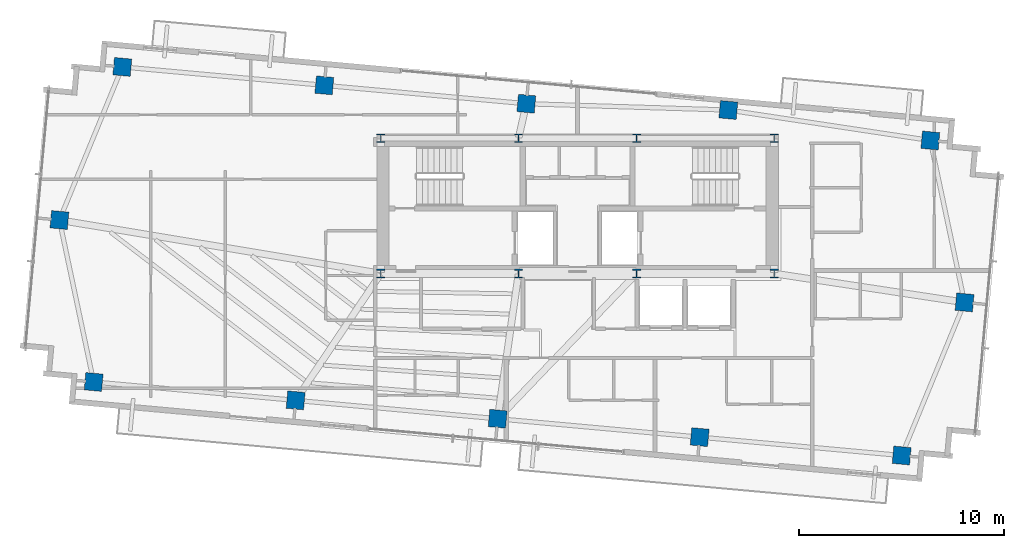
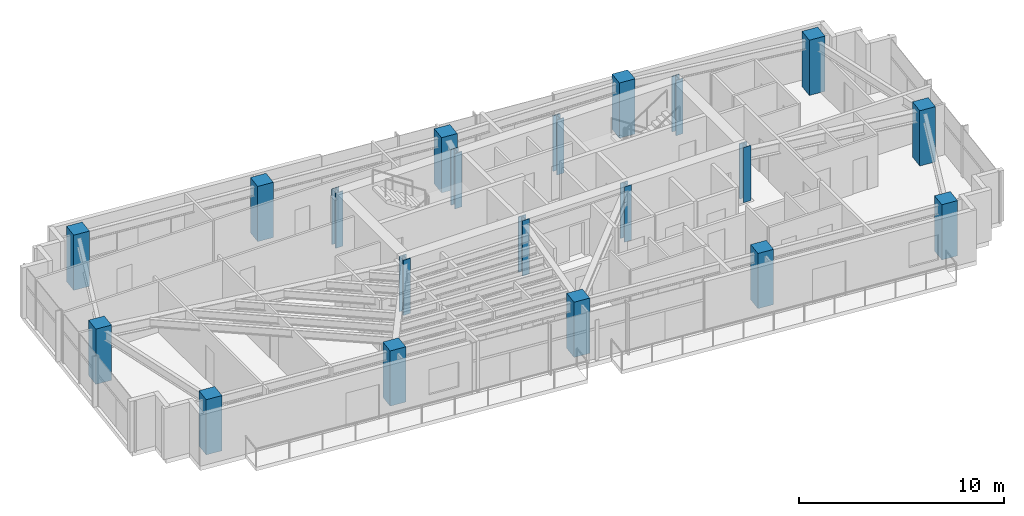
# One storey, part 1 of 22: 20 columns.
"""IFC4 building model written with IfcOpenShell, lengths in metres."""

from ifc_helpers import new_model, si_unit, direction, frame, origin, origin_2d, place, context, subcontext, project, spatial, rectangle, i_section, extrude, source, transform, mapped, material, material_profile, profile_set, type_object, type_shapes, element, save


model = new_model("IFC4")

# Units and contexts
model_context = context("Model", 3, precision=1e-05, world=origin(), true_north=direction((0.0, 1.0)))
body_context = subcontext(model_context, "Body", "Model", "MODEL_VIEW")
ifc_project = project(units=[si_unit("LENGTHUNIT", "METRE"), si_unit("AREAUNIT", "SQUARE_METRE"), si_unit("VOLUMEUNIT", "CUBIC_METRE"), si_unit("PLANEANGLEUNIT", "RADIAN"), si_unit("MASSUNIT", "GRAM", prefix="KILO")], contexts=[model_context])

# Site, building, storey
site_placement = place(None, origin())
site = spatial("IfcSite", under=ifc_project, at=site_placement, CompositionType="ELEMENT")
building_placement = place(site_placement, origin())
building = spatial("IfcBuilding", under=site, at=building_placement, Name="Astriad Promenade Condominiums", CompositionType="ELEMENT")
storey_placement = place(building_placement, frame((0.0, 0.0, 233.10009765625)))
storey = spatial("IfcBuildingStorey", under=building, at=storey_placement, Name="L67", CompositionType="ELEMENT", Elevation=233.10009765625)

# Columns
ifc_material_1 = material(Name="Steel ASTM A992 Grade 50", Category="steel")
ifc_material_profile_1 = material_profile(ifc_material_1, i_section(OverallWidth=0.4091796875, OverallDepth=0.42529296875, WebThickness=0.03271484375, FlangeThickness=0.052490234375, FilletRadius=0.017822265625, at=origin_2d()), Name="W14X283")
ifc_profile_set_1 = profile_set([ifc_material_profile_1], Name="Steel ASTM A992 Grade 50")
column_type_1 = type_object("IfcColumnType", Name="STEEL CORE PILASTER W14X283", PredefinedType="PILASTER", material=ifc_profile_set_1)
shared_shape_1 = source(origin(), body_context, "Body", "SweptSolid", [
    extrude(i_section(OverallWidth=0.4091796875, OverallDepth=0.42529296875, WebThickness=0.03271484375, FlangeThickness=0.052490234375, FilletRadius=0.017822265625, at=origin_2d()), origin(), (0.0, 0.0, 1.0), 3.2958984375),
])
type_shapes(column_type_1, [shared_shape_1])
for number, where, z_axis, x_axis, name in (
    (1, (26.39990234375, 17.39990234375, 0.001953125), (0.0, 0.0, 1.0), (1.0, 0.0, 0.0), "Core Pilaster Column CP1 (L67)"),
    (2, (33.1201171875, 17.39990234375, 0.001953125), (0.0, 0.0, 1.0), (1.0, 0.0, 0.0), "Core Pilaster Column CP2 (L67)"),
    (3, (38.8798828125, 17.39990234375, 0.001953125), (0.0, 0.0, 1.0), (1.0, 0.0, 0.0), "Core Pilaster Column CP3 (L67)"),
    (4, (45.60009765625, 17.39990234375, 0.001953125), (0.0, 0.0, 1.0), (1.0, 0.0, 0.0), "Core Pilaster Column CP4 (L67)"),
    (5, (26.39990234375, 24.0, 0.001953125), (0.0, 0.0, 1.0), (1.0, 0.0, 0.0), "Core Pilaster Column CP5 (L67)"),
    (6, (33.1201171875, 24.0, 0.001953125), (0.0, 0.0, 1.0), (1.0, 0.0, 0.0), "Core Pilaster Column CP6 (L67)"),
    (7, (38.8798828125, 24.0, 0.001953125), (0.0, 0.0, 1.0), (1.0, 0.0, 0.0), "Core Pilaster Column CP7 (L67)"),
    (8, (45.60009765625, 24.0, 0.001953125), (0.0, 0.0, 1.0), (1.0, 0.0, 0.0), "Core Pilaster Column CP8 (L67)"),
):
    element("IfcColumn", number, at=place(storey_placement, frame(where, z_axis=z_axis, x_axis=x_axis)), inside=storey, type_object=column_type_1, Name=name, PredefinedType="PILASTER", context=body_context, shape_type="MappedRepresentation", body=[
        mapped(shared_shape_1, transform((0.0, 0.0, 0.0), scale=1.0)),
    ])
ifc_material_2 = material(Name="Concrete C50/60", Category="concrete")
ifc_material_profile_2 = material_profile(ifc_material_2, rectangle(XDim=0.85009765625, YDim=0.85009765625, at=origin_2d()), Name="RC-COL-850X850")
ifc_profile_set_2 = profile_set([ifc_material_profile_2], Name="Concrete C50/60")
column_type_2 = type_object("IfcColumnType", Name="CONCRETE TOWER COLUMN 850X850", PredefinedType="COLUMN", material=ifc_profile_set_2)
shared_shape_2 = source(origin(), body_context, "Body", "SweptSolid", [
    extrude(rectangle(XDim=0.85009765625, YDim=0.85009765625, at=origin_2d()), origin(), (0.0, 0.0, 1.0), 3.2958984375),
])
type_shapes(column_type_2, [shared_shape_2])
for number, where, z_axis, x_axis, name in (
    (9, (12.3818359375, 12.106201171875, 0.001953125), (0.0, 0.0, 1.0), (0.995884398616, -0.090632580198, 0.0), "Perimeter Column PC01 (L67)"),
    (10, (22.2412109375, 11.208984375, 0.001953125), (0.0, 0.0, 1.0), (0.995884398616, -0.090632580198, 0.0), "Perimeter Column PC02 (L67)"),
    (11, (32.100341796875, 10.311767578125, 0.001953125), (0.0, 0.0, 1.0), (0.995884398616, -0.090632580198, 0.0), "Perimeter Column PC03 (L67)"),
    (12, (41.959716796875, 9.41455078125, 0.001953125), (0.0, 0.0, 1.0), (0.995884398616, -0.090632580198, 0.0), "Perimeter Column PC04 (L67)"),
    (13, (51.81884765625, 8.51708984375, 0.001953125), (0.0, 0.0, 1.0), (0.995884398616, -0.090632580198, 0.0), "Perimeter Column PC05 (L67)"),
    (14, (13.78125, 27.48291015625, 0.001953125), (0.0, 0.0, 1.0), (0.995884398616, -0.090632580198, 0.0), "Perimeter Column PC06 (L67)"),
    (15, (23.640380859375, 26.58544921875, 0.001953125), (0.0, 0.0, 1.0), (0.995884398616, -0.090632580198, 0.0), "Perimeter Column PC07 (L67)"),
    (16, (33.499755859375, 25.688232421875, 0.001953125), (0.0, 0.0, 1.0), (0.995884398616, -0.090632580198, 0.0), "Perimeter Column PC08 (L67)"),
    (17, (43.35888671875, 25.3798828125, 0.001953125), (0.0, 0.0, 1.0), (0.995884398616, -0.090632580198, 0.0), "Perimeter Column PC09 (L67)"),
    (18, (53.21826171875, 23.893798828125, 0.001953125), (0.0, 0.0, 1.0), (0.995884398616, -0.090632580198, 0.0), "Perimeter Column PC10 (L67)"),
    (19, (10.711181640625, 20.01025390625, 0.001953125), (0.0, 0.0, 1.0), (0.995884398616, -0.090632580198, 0.0), "Perimeter Column PC11 (L67)"),
    (20, (54.888671875, 15.98974609375, 0.001953125), (0.0, 0.0, 1.0), (0.995884398616, -0.090632580198, 0.0), "Perimeter Column PC12 (L67)"),
):
    element("IfcColumn", number, at=place(storey_placement, frame(where, z_axis=z_axis, x_axis=x_axis)), inside=storey, type_object=column_type_2, Name=name, PredefinedType="COLUMN", context=body_context, shape_type="MappedRepresentation", body=[
        mapped(shared_shape_2, transform((0.0, 0.0, 0.0), scale=1.0)),
    ])

save(model, "model.ifc")
